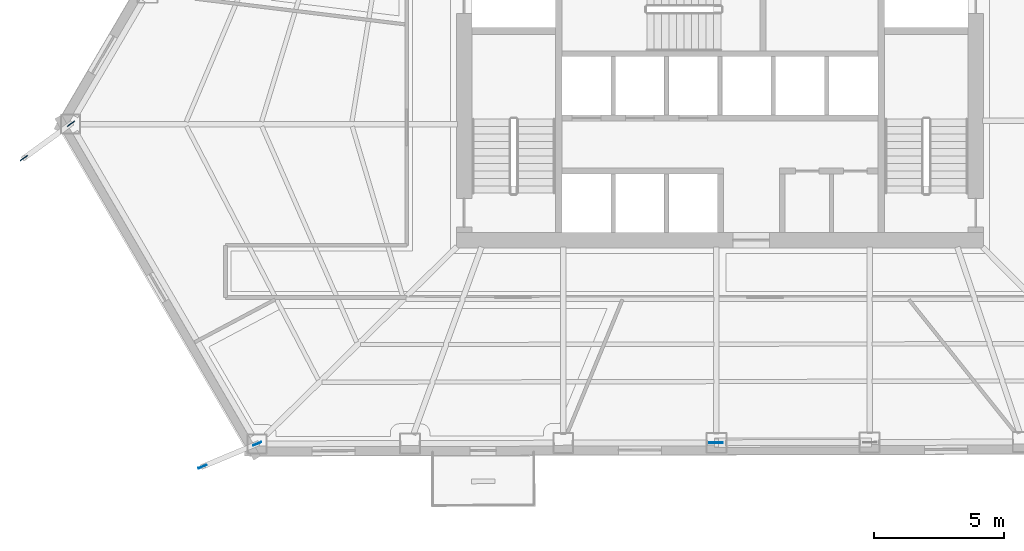
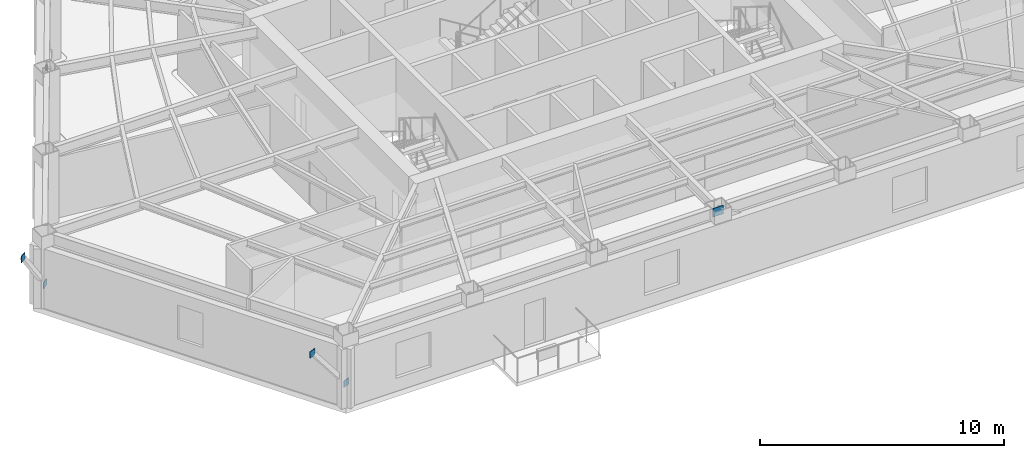
# One storey, part 6 of 15: 5 plates.
"""IFC4 building model written with IfcOpenShell, lengths in metres."""

import ifcopenshell
import ifcopenshell.guid

model = None  # the IFC model being written
_history = None  # IfcOwnerHistory: only IFC2X3 demands one
_inside = {}  # id of a spatial element -> (the spatial element, [elements in it])
_under = {}  # id of a project, library or spatial element -> (it, [spatial elements below it])
_declared = {}  # id of a project -> (the project, [libraries it declares])
_typed = {}  # id of a type object -> (the type object, [elements of that type])
_made_of = {}  # id of a material, layer set ... -> (it, [elements and type objects made of it])


def new_model(schema):
    """Start an empty IFC model of exactly this schema.

    Asked for "IFC4X3", IfcOpenShell would pick the latest addendum, in which some entities
    have other attributes; the version numbers below select the first issue.
    IFC2X3 requires an IfcOwnerHistory on every rooted entity: one is made here for all.
    """
    global model, _history
    if schema == "IFC4X3":
        model = ifcopenshell.file(schema_version=(4, 3, 0, 0))
    else:
        model = ifcopenshell.file(schema=schema)
    _inside.clear()
    _under.clear()
    _declared.clear()
    _typed.clear()
    _made_of.clear()
    _history = None
    if model.schema == "IFC2X3":
        org = make("IfcOrganization", Name="unknown")
        user = make(
            "IfcPersonAndOrganization",
            ThePerson=make("IfcPerson", FamilyName="unknown"),
            TheOrganization=org,
        )
        app = make(
            "IfcApplication",
            ApplicationDeveloper=org,
            Version="unknown",
            ApplicationFullName="unknown",
            ApplicationIdentifier="unknown",
        )
        _history = make(
            "IfcOwnerHistory",
            OwningUser=user,
            OwningApplication=app,
            ChangeAction="ADDED",
            CreationDate=0,
        )
    return model


def make(cls, **values):
    """One entity of the class cls with the attributes given. An attribute that is None is left unset."""
    return model.create_entity(
        cls, **{name: value for name, value in values.items() if value is not None}
    )


def rooted(cls, **values):
    """An entity with a GlobalId (a new one), such as an element, a storey or a relation."""
    return make(cls, GlobalId=ifcopenshell.guid.new(), OwnerHistory=_history, **values)


def si_unit(unit_type, name, prefix=None):
    """IfcSIUnit, for example si_unit("LENGTHUNIT", "METRE", prefix="MILLI")."""
    return make("IfcSIUnit", UnitType=unit_type, Prefix=prefix, Name=name)


def assignment(units):
    """IfcUnitAssignment: the units of a project."""
    return None if units is None else make("IfcUnitAssignment", Units=units)


def point(xyz):
    """IfcCartesianPoint."""
    return None if xyz is None else make("IfcCartesianPoint", Coordinates=xyz)


def direction(xyz):
    """IfcDirection."""
    return None if xyz is None else make("IfcDirection", DirectionRatios=xyz)


def frame(location, z_axis=None, x_axis=None):
    """IfcAxis2Placement3D, a coordinate frame: its origin and axes. An axis left out is left unset."""
    return make(
        "IfcAxis2Placement3D",
        Location=point(location),
        Axis=direction(z_axis),
        RefDirection=direction(x_axis),
    )


def frame_2d(location, x_axis=None):
    """IfcAxis2Placement2D, a coordinate frame in the plane: its origin and x axis."""
    return make(
        "IfcAxis2Placement2D", Location=point(location), RefDirection=direction(x_axis)
    )


def origin():
    """The frame at (0, 0, 0) with its axes left unset."""
    return frame((0.0, 0.0, 0.0))


def origin_2d():
    """The frame at (0, 0) in the plane with its x axis left unset."""
    return frame_2d((0.0, 0.0))


def place(relative_to, where):
    """IfcLocalPlacement: puts the frame where relative to a parent placement (None: the world)."""
    return make(
        "IfcLocalPlacement", PlacementRelTo=relative_to, RelativePlacement=where
    )


def context(
    kind, dimensions, precision=None, world=None, true_north=None, identifier=None
):
    """IfcGeometricRepresentationContext, for example the 3D "Model" context."""
    return make(
        "IfcGeometricRepresentationContext",
        ContextIdentifier=identifier,
        ContextType=kind,
        CoordinateSpaceDimension=dimensions,
        Precision=precision,
        WorldCoordinateSystem=world,
        TrueNorth=true_north,
    )


def subcontext(parent, identifier, kind, view, scale=None):
    """IfcGeometricRepresentationSubContext, for example "Body" below "Model"."""
    return make(
        "IfcGeometricRepresentationSubContext",
        ContextIdentifier=identifier,
        ContextType=kind,
        ParentContext=parent,
        TargetScale=scale,
        TargetView=view,
    )


def project(units=None, contexts=None):
    """IfcProject with its units and contexts."""
    return rooted(
        "IfcProject",
        Name="project",
        RepresentationContexts=contexts,
        UnitsInContext=assignment(units),
    )


def spatial(cls, under=None, at=None, **own):
    """A site, building, storey or space (cls), placed at a placement, below another one or the project."""
    s = rooted(cls, ObjectPlacement=at, **own)
    if under is not None:
        _under.setdefault(under.id(), (under, []))[1].append(s)
    return s


def profile(cls, at=None, kind="AREA", **sizes):
    """A parametric profile (cls). Its sizes go by their IFC names, for example OverallWidth=200.0."""
    return make(cls, ProfileType=kind, Position=at, **sizes)


def rectangle(**sizes):
    """IfcRectangleProfileDef."""
    return profile("IfcRectangleProfileDef", **sizes)


def extrude(swept, where, along, depth):
    """IfcExtrudedAreaSolid: the profile swept, set in the frame where, extruded along a direction by depth."""
    return make(
        "IfcExtrudedAreaSolid",
        SweptArea=swept,
        Position=where,
        ExtrudedDirection=direction(along),
        Depth=depth,
    )


def shape(context_of_items, identifier, shape_type, items):
    """IfcShapeRepresentation: the items that make up one representation, for example the "Body"."""
    return make(
        "IfcShapeRepresentation",
        ContextOfItems=context_of_items,
        RepresentationIdentifier=identifier,
        RepresentationType=shape_type,
        Items=items,
    )


def material(Name=None, Category=None):
    """IfcMaterial."""
    return make("IfcMaterial", Name=Name, Category=Category)


def layer(
    of_material, thickness, ventilated=None, Name=None, Category=None, Priority=None
):
    """IfcMaterialLayer: one layer of a wall or slab, of a material (None: an air gap)."""
    return make(
        "IfcMaterialLayer",
        Material=of_material,
        LayerThickness=thickness,
        IsVentilated=ventilated,
        Name=Name,
        Category=Category,
        Priority=Priority,
    )


def layer_set(layers, Name=None):
    """IfcMaterialLayerSet."""
    return make("IfcMaterialLayerSet", MaterialLayers=layers, LayerSetName=Name)


def made_of(thing, what):
    """Note that an element or type object is made of a material, layer set ...; save() writes the relation."""
    if what is not None:
        _made_of.setdefault(what.id(), (what, []))[1].append(thing)
    return thing


def type_object(cls, material=None, **own):
    """A type object (cls), such as IfcWallType, which elements share."""
    return made_of(rooted(cls, **own), material)


def element(
    cls,
    number,
    at=None,
    inside=None,
    cuts=None,
    type_object=None,
    material=None,
    context=None,
    identifier="Body",
    shape_type=None,
    held_by="IfcProductDefinitionShape",
    body=None,
    shapes=None,
    **own,
):
    """One element of the class cls, such as IfcWall. Its Tag is "e" and its number.

    at: its placement. inside: the storey or other place that contains it. cuts: it is an
    opening in that element (IfcRelVoidsElement). A single representation is given by context,
    identifier, shape_type and body (its items); several are given by shapes. held_by: the class
    of the entity that holds the representations. save() writes the other relations.
    """
    e = rooted(cls, Tag="e%d" % number, ObjectPlacement=at, **own)
    if body is not None:
        shapes = [shape(context, identifier, shape_type, body)]
    if shapes is not None:
        e.Representation = make(held_by, Representations=shapes)
    if inside is not None:
        _inside.setdefault(inside.id(), (inside, []))[1].append(e)
    if cuts is not None:
        rooted(
            "IfcRelVoidsElement", RelatingBuildingElement=cuts, RelatedOpeningElement=e
        )
    if type_object is not None:
        _typed.setdefault(type_object.id(), (type_object, []))[1].append(e)
    return made_of(e, material)


def aggregate(whole, parts):
    """IfcRelAggregates: a whole, such as a stair, and the parts it consists of."""
    return rooted("IfcRelAggregates", RelatingObject=whole, RelatedObjects=parts)


def save(model, path):
    """Write the relations noted so far, then the file.

    IfcRelAggregates (storeys below a building ...), IfcRelContainedInSpatialStructure (elements
    in a storey), IfcRelDefinesByType, IfcRelAssociatesMaterial and IfcRelDeclares: one each for
    every whole, place, type object, material and project.
    """
    for whole, parts in _under.values():
        aggregate(whole, parts)
    for where, things in _inside.values():
        rooted(
            "IfcRelContainedInSpatialStructure",
            RelatedElements=things,
            RelatingStructure=where,
        )
    for kind, things in _typed.values():
        rooted("IfcRelDefinesByType", RelatedObjects=things, RelatingType=kind)
    for what, things in _made_of.values():
        rooted("IfcRelAssociatesMaterial", RelatedObjects=things, RelatingMaterial=what)
    for by, libraries in _declared.values():
        rooted("IfcRelDeclares", RelatingContext=by, RelatedDefinitions=libraries)
    model.write(path)


model = new_model("IFC4")

# Units and contexts
model_context = context("Model", 3, precision=1e-05, world=origin(), true_north=direction((0.0, 1.0)))
body_context = subcontext(model_context, "Body", "Model", "MODEL_VIEW")
ifc_project = project(units=[si_unit("LENGTHUNIT", "METRE"), si_unit("AREAUNIT", "SQUARE_METRE"), si_unit("VOLUMEUNIT", "CUBIC_METRE"), si_unit("PLANEANGLEUNIT", "RADIAN"), si_unit("MASSUNIT", "GRAM", prefix="KILO")], contexts=[model_context])

# Site, building, storey
site_placement = place(None, origin())
site = spatial("IfcSite", under=ifc_project, at=site_placement, CompositionType="ELEMENT")
building_placement = place(site_placement, origin())
building = spatial("IfcBuilding", under=site, at=building_placement, Name="Kavelnor Concourse Tower", CompositionType="ELEMENT")
storey_placement = place(building_placement, frame((0.0, 0.0, 63.75)))
storey = spatial("IfcBuildingStorey", under=building, at=storey_placement, Name="L16", CompositionType="ELEMENT", Elevation=63.75)

# Plates
ifc_material = material(Name="Steel Grade 350", Category="steel")
ifc_layer_1 = layer(ifc_material, 0.028076171875, Name="Steel Grade 350")
ifc_layer_set_1 = layer_set([ifc_layer_1], Name="Steel Grade 350")
plate_type_1 = type_object("IfcPlateType", Name="PL-GUSSET-FOLD", PredefinedType="USERDEFINED", material=ifc_layer_set_1)
for number, where, z_axis, x_axis, name in (
    (1, (13.08544921875, 13.762939453125, 0.73974609375), (0.0, 0.0, 1.0), (-0.807887037428, -0.589337369217, 0.0), "L16 Terrace Strut Gusset GP4 C1-A End Gusset A"),
    (2, (11.2783203125, 12.44482421875, 3.47509765625), (0.0, 0.0, 1.0), (-0.807887037428, -0.589337369217, 0.0), "L16 Terrace Strut Gusset GP4 C1-A End Gusset B"),
    (3, (20.238525390625, 1.4833984375, 0.73974609375), (0.0, 0.0, 1.0), (-0.922740022919, -0.385422949633, 0.0), "L16 Terrace Strut Gusset GP4 C1-B End Gusset A"),
    (4, (18.1396484375, 0.606689453125, 3.47509765625), (0.0, 0.0, 1.0), (-0.922740022919, -0.385422949633, 0.0), "L16 Terrace Strut Gusset GP4 C1-B End Gusset B"),
):
    element("IfcPlate", number, at=place(storey_placement, frame(where, z_axis=z_axis, x_axis=x_axis)), inside=storey, type_object=plate_type_1, Name=name, ObjectType="GUSSET_PLATE", PredefinedType="USERDEFINED", context=body_context, shape_type="SweptSolid", body=[
        extrude(rectangle(XDim=0.340087890625, YDim=0.028076171875, at=origin_2d()), origin(), (0.0, 0.0, 1.0), 0.320068359375),
    ])
ifc_layer_2 = layer(ifc_material, 0.031982421875, Name="Steel Grade 350")
ifc_layer_set_2 = layer_set([ifc_layer_2], Name="Steel Grade 350")
plate_type_2 = type_object("IfcPlateType", Name="PL-GUSSET-TUBE-Z1", PredefinedType="USERDEFINED", material=ifc_layer_set_2)
plate_placement = place(storey_placement, frame((37.85107421875, 1.521240234375, 3.073974609375), z_axis=(0.0, 0.0, 1.0), x_axis=(-0.999997014751, -0.002443458521, 0.0)))
element("IfcPlate", 5, at=plate_placement, inside=storey, type_object=plate_type_2, Name="L16 Tube Brace Gusset GP3 F1-B3 End Gusset B", ObjectType="GUSSET_PLATE", PredefinedType="USERDEFINED", context=body_context, shape_type="SweptSolid", body=[
    extrude(rectangle(XDim=0.52001953125, YDim=0.031982421875, at=origin_2d()), origin(), (0.0, 0.0, 1.0), 0.419921875),
])

save(model, "model.ifc")
